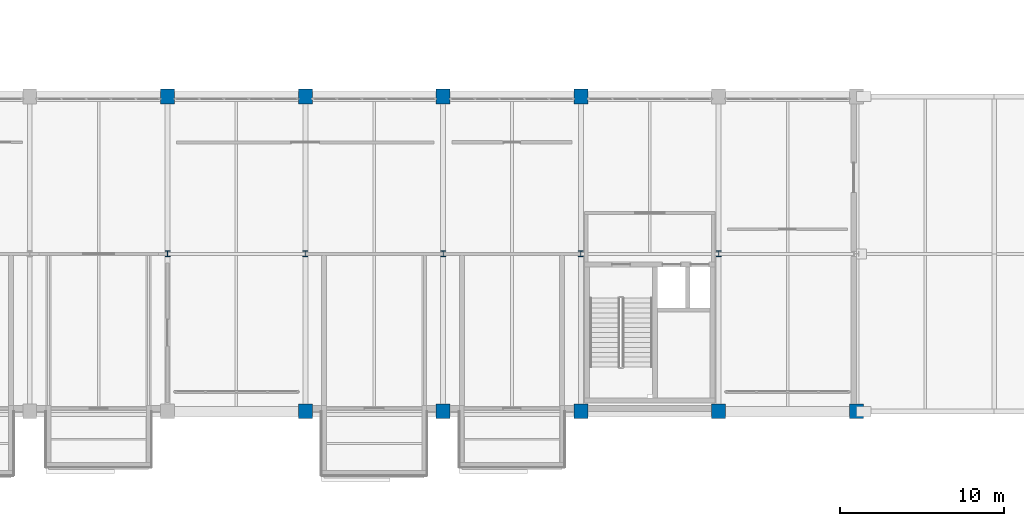
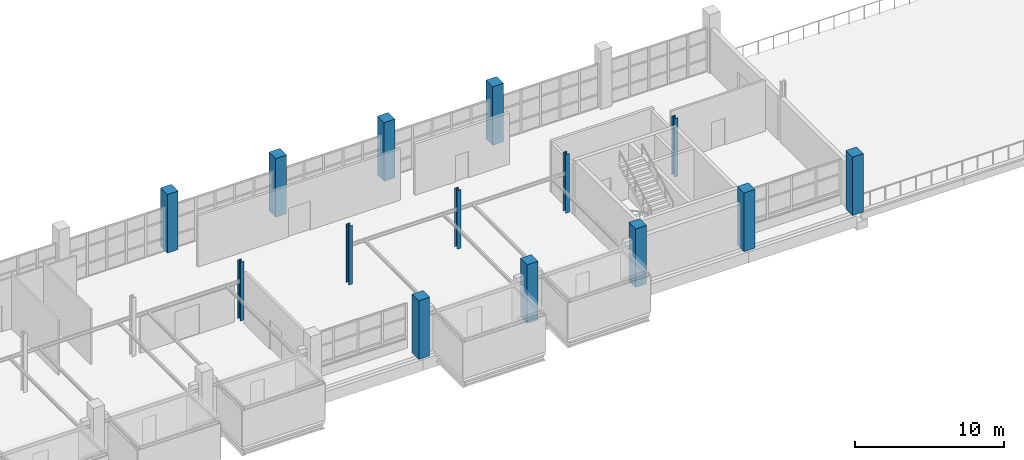
# One storey, part 2 of 29: 14 columns.
"""IFC4 building model written with IfcOpenShell, lengths in metres."""

from ifc_helpers import new_model, si_unit, direction, frame, origin, origin_2d, place, context, subcontext, project, spatial, rectangle, i_section, extrude, material, material_profile, profile_set, type_object, element, save


model = new_model("IFC4")

# Units and contexts
model_context = context("Model", 3, precision=1e-05, world=origin(), true_north=direction((0.0, 1.0)))
body_context = subcontext(model_context, "Body", "Model", "MODEL_VIEW")
ifc_project = project(units=[si_unit("LENGTHUNIT", "METRE"), si_unit("AREAUNIT", "SQUARE_METRE"), si_unit("VOLUMEUNIT", "CUBIC_METRE"), si_unit("PLANEANGLEUNIT", "RADIAN"), si_unit("MASSUNIT", "GRAM", prefix="KILO")], contexts=[model_context])

# Site, building, storey
site_placement = place(None, origin())
site = spatial("IfcSite", under=ifc_project, at=site_placement, CompositionType="ELEMENT")
building_placement = place(site_placement, origin())
building = spatial("IfcBuilding", under=site, at=building_placement, Name="Veltarok Museum of Natural Sciences", CompositionType="ELEMENT")
storey_placement = place(building_placement, frame((0.0, 0.0, 26.39990234375)))
storey = spatial("IfcBuildingStorey", under=building, at=storey_placement, Name="L05", CompositionType="ELEMENT", Elevation=26.39990234375)

# Columns
ifc_material_1 = material(Name="Concrete C40/50", Category="concrete")
ifc_material_profile_1 = material_profile(ifc_material_1, rectangle(XDim=0.85009765625, YDim=0.89990234375, at=origin_2d()), Name="RC 850x900")
ifc_profile_set_1 = profile_set([ifc_material_profile_1], Name="Concrete C40/50")
column_type_1 = type_object("IfcColumnType", Name="Exposed Cabinet Grid Column RC 850x900", PredefinedType="COLUMN", material=ifc_profile_set_1)
for number, where, z_axis, x_axis, name in (
    (1, (65.199951171875, 19.199951171875, 0.0), (0.0, 0.0, 1.0), (1.0, 0.0, 0.0), "Column COL-CAB01 L05 8/C"),
    (2, (73.60009765625, 0.0, 0.0), (0.0, 0.0, 1.0), (1.0, 0.0, 0.0), "Column COL-CAB01 L05 9/A"),
    (3, (73.60009765625, 19.199951171875, 0.0), (0.0, 0.0, 1.0), (1.0, 0.0, 0.0), "Column COL-CAB01 L05 9/C"),
    (4, (82.0, 0.0, 0.0), (0.0, 0.0, 1.0), (1.0, 0.0, 0.0), "Column COL-CAB01 L05 10/A"),
    (5, (82.0, 19.199951171875, 0.0), (0.0, 0.0, 1.0), (1.0, 0.0, 0.0), "Column COL-CAB01 L05 10/C"),
    (6, (90.39990234375, 0.0, 0.0), (0.0, 0.0, 1.0), (1.0, 0.0, 0.0), "Column COL-CAB01 L05 11/A"),
    (7, (90.39990234375, 19.199951171875, 0.0), (0.0, 0.0, 1.0), (1.0, 0.0, 0.0), "Column COL-CAB01 L05 11/C"),
    (8, (98.800048828125, 0.0, 0.0), (0.0, 0.0, 1.0), (1.0, 0.0, 0.0), "Column COL-CAB01 L05 12/A"),
    (9, (107.199951171875, 0.0, 0.0), (0.0, 0.0, 1.0), (1.0, 0.0, 0.0), "Column COL-CAB01 L05 13/A"),
):
    element("IfcColumn", number, at=place(storey_placement, frame(where, z_axis=z_axis, x_axis=x_axis)), inside=storey, type_object=column_type_1, Name=name, PredefinedType="COLUMN", context=body_context, shape_type="SweptSolid", body=[
        extrude(rectangle(XDim=0.85009765625, YDim=0.89990234375, at=origin_2d()), origin(), (0.0, 0.0, 1.0), 4.800048828125),
    ])
ifc_material_2 = material(Name="Steel S355J2", Category="steel")
ifc_material_profile_2 = material_profile(ifc_material_2, i_section(OverallWidth=0.300048828125, OverallDepth=0.360107421875, WebThickness=0.012451171875, FlangeThickness=0.0224609375, FilletRadius=0.027099609375, at=origin_2d()), Name="HEB 360")
ifc_profile_set_2 = profile_set([ifc_material_profile_2], Name="Steel S355J2")
column_type_2 = type_object("IfcColumnType", Name="Secondary Hall Column HEB 360", PredefinedType="COLUMN", material=ifc_profile_set_2)
for number, where, z_axis, x_axis, name in (
    (10, (65.199951171875, 9.60009765625, 0.0), (0.0, 0.0, 1.0), (1.0, 0.0, 0.0), "Column COL-S07 L05 8/B"),
    (11, (73.60009765625, 9.60009765625, 0.0), (0.0, 0.0, 1.0), (1.0, 0.0, 0.0), "Column COL-S07 L05 9/B"),
    (12, (82.0, 9.60009765625, 0.0), (0.0, 0.0, 1.0), (1.0, 0.0, 0.0), "Column COL-S07 L05 10/B"),
    (13, (90.39990234375, 9.60009765625, 0.0), (0.0, 0.0, 1.0), (1.0, 0.0, 0.0), "Column COL-S07 L05 11/B"),
    (14, (98.800048828125, 9.60009765625, 0.0), (0.0, 0.0, 1.0), (1.0, 0.0, 0.0), "Column COL-S07 L05 12/B"),
):
    element("IfcColumn", number, at=place(storey_placement, frame(where, z_axis=z_axis, x_axis=x_axis)), inside=storey, type_object=column_type_2, Name=name, PredefinedType="COLUMN", context=body_context, shape_type="SweptSolid", body=[
        extrude(i_section(OverallWidth=0.300048828125, OverallDepth=0.360107421875, WebThickness=0.012451171875, FlangeThickness=0.0224609375, FilletRadius=0.027099609375, at=origin_2d()), origin(), (0.0, 0.0, 1.0), 4.800048828125),
    ])

save(model, "model.ifc")
